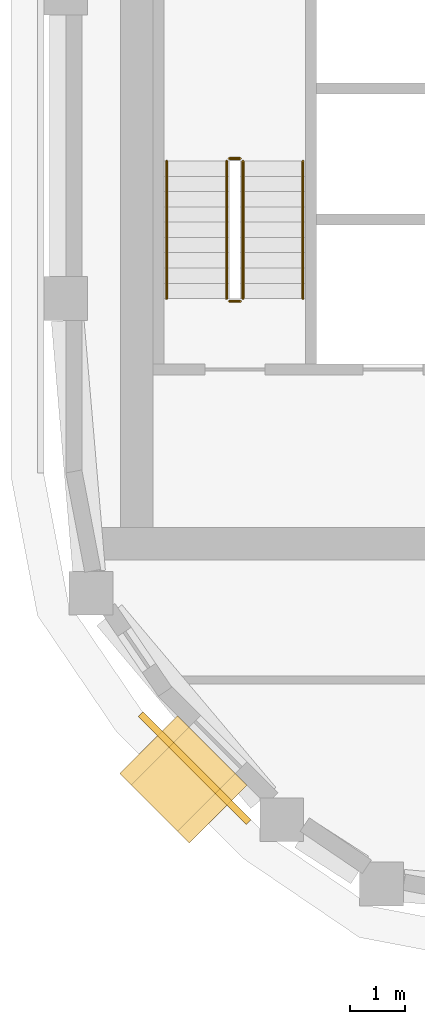
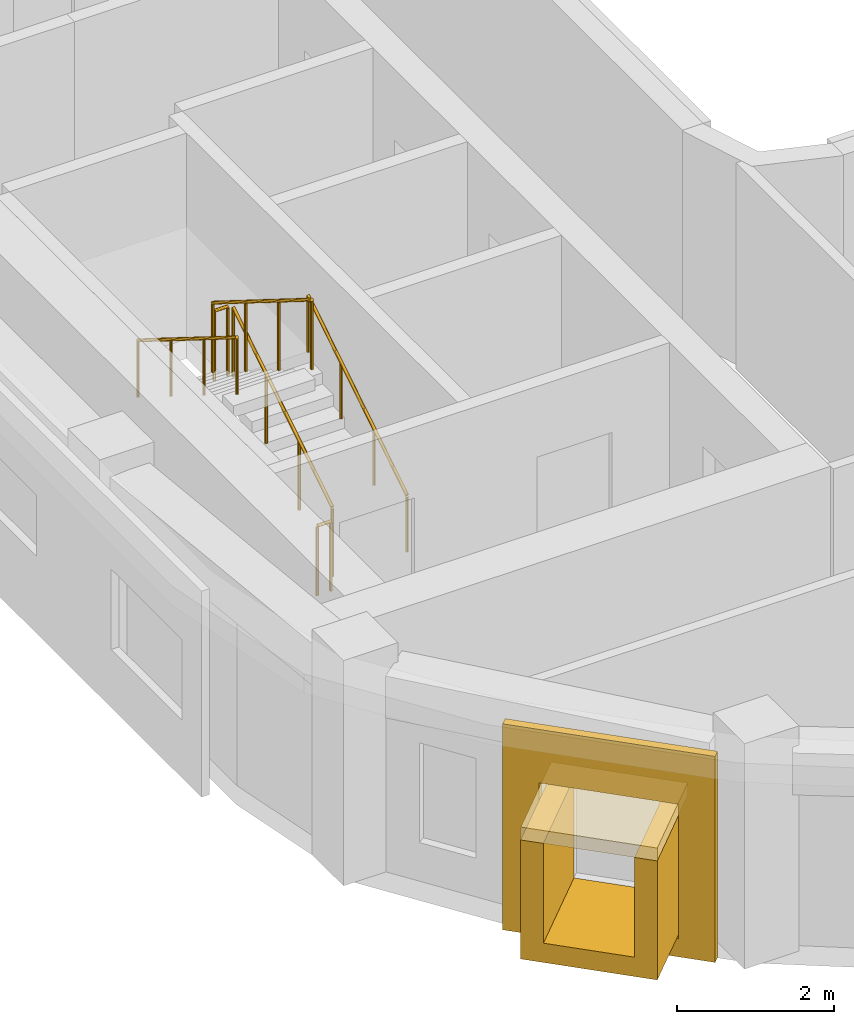
# One storey, part 9 of 15: 6 railings, 3 coverings.
"""IFC4 building model written with IfcOpenShell, lengths in metres."""

from ifc_helpers import new_model, si_unit, direction, frame, origin, origin_2d, place, context, subcontext, project, spatial, polyline, rectangle, circle, outline, extrude, material, layer, layer_set, type_object, element, save


model = new_model("IFC4")

# Units and contexts
model_context = context("Model", 3, precision=1e-05, world=origin(), true_north=direction((0.0, 1.0)))
body_context = subcontext(model_context, "Body", "Model", "MODEL_VIEW")
ifc_project = project(units=[si_unit("LENGTHUNIT", "METRE"), si_unit("AREAUNIT", "SQUARE_METRE"), si_unit("VOLUMEUNIT", "CUBIC_METRE"), si_unit("PLANEANGLEUNIT", "RADIAN"), si_unit("MASSUNIT", "GRAM", prefix="KILO")], contexts=[model_context])

# Site, building, storey
site_placement = place(None, origin())
site = spatial("IfcSite", under=ifc_project, at=site_placement, CompositionType="ELEMENT")
building_placement = place(site_placement, origin())
building = spatial("IfcBuilding", under=site, at=building_placement, Name="Kiln Ring Residences", CompositionType="ELEMENT")
storey_placement = place(building_placement, frame((0.0, 0.0, 248.699951171875)))
storey = spatial("IfcBuildingStorey", under=building, at=storey_placement, Name="L64", CompositionType="ELEMENT", Elevation=248.699951171875)

# Railings
ifc_material_1 = material(Name="Stainless steel", Category="steel")
railing_type_1 = type_object("IfcRailingType", Name="CORE-STAIR-GUARD", PredefinedType="GUARDRAIL", material=ifc_material_1)
railing_1_placement = place(storey_placement, frame((-21.949951171875, -8.39990234375, 0.175048828125)))
element("IfcRailing", 1, at=railing_1_placement, inside=storey, type_object=railing_type_1, Name="L64 W-STS stair guard 1", PredefinedType="GUARDRAIL", context=body_context, shape_type="SweptSolid", body=[
    extrude(circle(Radius=0.02392578125, at=origin_2d()), frame((0.0, 0.0, 1.076171875), z_axis=(0.0, 0.848007534815, 0.529984170421), x_axis=(-1.0, 0.0, 0.0)), (0.0, 0.0, 1.0), 2.9716796875),
    extrude(circle(Radius=0.02099609375, at=origin_2d()), origin(), (0.0, 0.0, 1.0), 1.052001953125),
    extrude(circle(Radius=0.02099609375, at=origin_2d()), frame((0.0, 0.840087890625, 0.52490234375)), (0.0, 0.0, 1.0), 1.052001953125),
    extrude(circle(Radius=0.02099609375, at=origin_2d()), frame((0.0, 1.679931640625, 1.050048828125)), (0.0, 0.0, 1.0), 1.052001953125),
    extrude(circle(Radius=0.02099609375, at=origin_2d()), frame((0.0, 2.52001953125, 1.574951171875)), (0.0, 0.0, 1.0), 1.052001953125),
])
railing_2_placement = place(storey_placement, frame((-22.0, -5.830078125, 1.75)))
element("IfcRailing", 2, at=railing_2_placement, inside=storey, type_object=railing_type_1, Name="L64 W-STS stair guard 2", PredefinedType="GUARDRAIL", context=body_context, shape_type="SweptSolid", body=[
    extrude(circle(Radius=0.02392578125, at=origin_2d()), frame((0.0, 0.0, 1.076171875), z_axis=(-1.0, 0.0, 0.0), x_axis=(0.0, -1.0, 0.0)), (0.0, 0.0, 1.0), 0.199951171875),
    extrude(circle(Radius=0.02099609375, at=origin_2d()), origin(), (0.0, 0.0, 1.0), 1.052001953125),
    extrude(circle(Radius=0.02099609375, at=origin_2d()), frame((-0.199951171875, 0.0, 0.0)), (0.0, 0.0, 1.0), 1.052001953125),
])
railing_3_placement = place(storey_placement, frame((-22.25, -5.8798828125, 1.925048828125)))
element("IfcRailing", 3, at=railing_3_placement, inside=storey, type_object=railing_type_1, Name="L64 W-STS stair guard 3", PredefinedType="GUARDRAIL", context=body_context, shape_type="SweptSolid", body=[
    extrude(circle(Radius=0.02392578125, at=origin_2d()), frame((0.0, 0.0, 1.076171875), z_axis=(0.0, -0.848007534815, 0.529984170421), x_axis=(1.0, 0.0, 0.0)), (0.0, 0.0, 1.0), 2.9716796875),
    extrude(circle(Radius=0.02099609375, at=origin_2d()), origin(), (0.0, 0.0, 1.0), 1.052001953125),
    extrude(circle(Radius=0.02099609375, at=origin_2d()), frame((0.0, -0.840087890625, 0.52490234375)), (0.0, 0.0, 1.0), 1.052001953125),
    extrude(circle(Radius=0.02099609375, at=origin_2d()), frame((0.0, -1.679931640625, 1.050048828125)), (0.0, 0.0, 1.0), 1.052001953125),
    extrude(circle(Radius=0.02099609375, at=origin_2d()), frame((0.0, -2.52001953125, 1.574951171875)), (0.0, 0.0, 1.0), 1.052001953125),
])
railing_4_placement = place(storey_placement, frame((-22.0, -8.449951171875, 0.0)))
element("IfcRailing", 4, at=railing_4_placement, inside=storey, type_object=railing_type_1, Name="L64 W-STS stair guard 4", PredefinedType="GUARDRAIL", context=body_context, shape_type="SweptSolid", body=[
    extrude(circle(Radius=0.02392578125, at=origin_2d()), frame((0.0, 0.0, 1.076171875), z_axis=(-1.0, 0.0, 0.0), x_axis=(0.0, -1.0, 0.0)), (0.0, 0.0, 1.0), 0.199951171875),
    extrude(circle(Radius=0.02099609375, at=origin_2d()), origin(), (0.0, 0.0, 1.0), 1.052001953125),
    extrude(circle(Radius=0.02099609375, at=origin_2d()), frame((-0.199951171875, 0.0, 0.0)), (0.0, 0.0, 1.0), 1.052001953125),
])
ifc_material_2 = material(Name="Stainless steel", Category="steel")
railing_type_2 = type_object("IfcRailingType", Name="CORE-STAIR-HANDRAIL", PredefinedType="HANDRAIL", material=ifc_material_2)
railing_5_placement = place(storey_placement, frame((-20.85009765625, -8.39990234375, 0.175048828125)))
element("IfcRailing", 5, at=railing_5_placement, inside=storey, type_object=railing_type_2, Name="L64 W-STS stair handrail 1", PredefinedType="HANDRAIL", context=body_context, shape_type="SweptSolid", body=[
    extrude(circle(Radius=0.02392578125, at=origin_2d()), frame((0.0, 0.0, 0.8759765625), z_axis=(0.0, 0.848007534815, 0.529984170421), x_axis=(-1.0, 0.0, 0.0)), (0.0, 0.0, 1.0), 2.9716796875),
    extrude(circle(Radius=0.02099609375, at=origin_2d()), origin(), (0.0, 0.0, 1.0), 0.851806640625),
    extrude(circle(Radius=0.02099609375, at=origin_2d()), frame((0.0, 0.840087890625, 0.52490234375)), (0.0, 0.0, 1.0), 0.851806640625),
    extrude(circle(Radius=0.02099609375, at=origin_2d()), frame((0.0, 1.679931640625, 1.050048828125)), (0.0, 0.0, 1.0), 0.851806640625),
    extrude(circle(Radius=0.02099609375, at=origin_2d()), frame((0.0, 2.52001953125, 1.574951171875)), (0.0, 0.0, 1.0), 0.851806640625),
])
railing_6_placement = place(storey_placement, frame((-23.35009765625, -5.8798828125, 1.925048828125)))
element("IfcRailing", 6, at=railing_6_placement, inside=storey, type_object=railing_type_2, Name="L64 W-STS stair handrail 2", PredefinedType="HANDRAIL", context=body_context, shape_type="SweptSolid", body=[
    extrude(circle(Radius=0.02392578125, at=origin_2d()), frame((0.0, 0.0, 0.8759765625), z_axis=(0.0, -0.848007534815, 0.529984170421), x_axis=(1.0, 0.0, 0.0)), (0.0, 0.0, 1.0), 2.9716796875),
    extrude(circle(Radius=0.02099609375, at=origin_2d()), origin(), (0.0, 0.0, 1.0), 0.851806640625),
    extrude(circle(Radius=0.02099609375, at=origin_2d()), frame((0.0, -0.840087890625, 0.52490234375)), (0.0, 0.0, 1.0), 0.851806640625),
    extrude(circle(Radius=0.02099609375, at=origin_2d()), frame((0.0, -1.679931640625, 1.050048828125)), (0.0, 0.0, 1.0), 0.851806640625),
    extrude(circle(Radius=0.02099609375, at=origin_2d()), frame((0.0, -2.52001953125, 1.574951171875)), (0.0, 0.0, 1.0), 0.851806640625),
])

# Coverings
ifc_material_3 = material(Name="Brick masonry, dark clay brick", Category="masonry")
ifc_layer_1 = layer(ifc_material_3, 0.300048828125)
ifc_layer_set_1 = layer_set([ifc_layer_1], Name="FRAME CHEEKS AND SILL 1500")
covering_type_1 = type_object("IfcCoveringType", Name="FRAME CHEEKS AND SILL 1500", PredefinedType="CLADDING", material=ifc_layer_set_1)
covering_1_placement = place(storey_placement, frame((-23.6796875, -16.5810546875, 0.300048828125), z_axis=(0.0, 0.0, 1.0), x_axis=(0.707106781187, -0.707106781187, 0.0)))
element("IfcCovering", 7, at=covering_1_placement, inside=storey, type_object=covering_type_1, Name="FRAME L64", PredefinedType="CLADDING", context=body_context, shape_type="SweptSolid", body=[
    extrude(outline(polyline([(0.0, 0.0), (1.7998046875, 0.0), (1.800048828125, 1.85009765625), (1.5009765625, 1.85009765625), (1.5, 0.300048828125), (0.300048828125, 0.300048828125), (0.299072265625, 1.85009765625), (0.0, 1.85009765625), (0.0, 0.0)])), frame((0.0, 0.75, 0.0), z_axis=(0.0, -1.0, 0.0), x_axis=(1.0, 0.0, 0.0)), (0.0, 0.0, 1.0), 1.5),
])
ifc_material_4 = material(Name="Brick masonry, dark clay brick", Category="masonry")
ifc_layer_2 = layer(ifc_material_4, 0.199951171875)
ifc_layer_set_2 = layer_set([ifc_layer_2], Name="FRAME HEAD 1500")
covering_type_2 = type_object("IfcCoveringType", Name="FRAME HEAD 1500", PredefinedType="CLADDING", material=ifc_layer_set_2)
covering_2_placement = place(storey_placement, frame((-23.043212890625, -17.21728515625, 2.14990234375), z_axis=(0.0, 0.0, 1.0), x_axis=(0.707106781187, -0.707106781187, 0.0)))
element("IfcCovering", 8, at=covering_2_placement, inside=storey, type_object=covering_type_2, Name="FRAME HEAD L64", PredefinedType="CLADDING", context=body_context, shape_type="SweptSolid", body=[
    extrude(rectangle(XDim=1.800048828125, YDim=1.5, at=origin_2d()), origin(), (0.0, 0.0, 1.0), 0.199951171875),
])
ifc_material_5 = material(Name="Brick masonry, dark clay brick", Category="masonry")
ifc_layer_3 = layer(ifc_material_5, 0.1201171875)
ifc_layer_set_3 = layer_set([ifc_layer_3], Name="RAINSCREEN PANEL 120")
covering_type_3 = type_object("IfcCoveringType", Name="RAINSCREEN PANEL 120", PredefinedType="CLADDING", material=ifc_layer_set_3)
covering_3_placement = place(storey_placement, frame((-23.828125, -16.022216796875, 0.0), z_axis=(0.0, 0.0, 1.0), x_axis=(0.707063182409, -0.707150377276, 0.0)))
element("IfcCovering", 9, at=covering_3_placement, inside=storey, type_object=covering_type_3, Name="RAINSCREEN L64", PredefinedType="CLADDING", context=body_context, shape_type="SweptSolid", body=[
    extrude(outline(polyline([(0.0, 0.0), (2.800048828125, 0.0), (2.800048828125, 3.199951171875), (0.0, 3.199951171875), (0.0, 0.0)]), holes=[polyline([(0.47998046875, 2.3701171875), (0.47998046875, 0.280029296875), (2.320068359375, 0.280029296875), (2.320068359375, 2.3701171875), (0.47998046875, 2.3701171875)])]), frame((0.0, 0.06005859375, 0.0), z_axis=(0.0, -1.0, 0.0), x_axis=(1.0, 0.0, 0.0)), (0.0, 0.0, 1.0), 0.1201171875),
])

save(model, "model.ifc")
